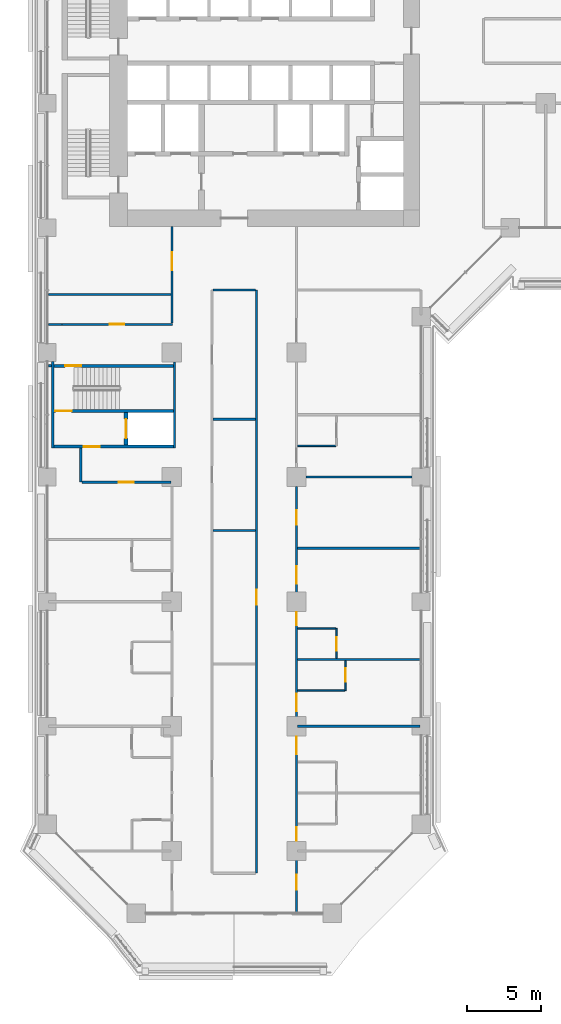
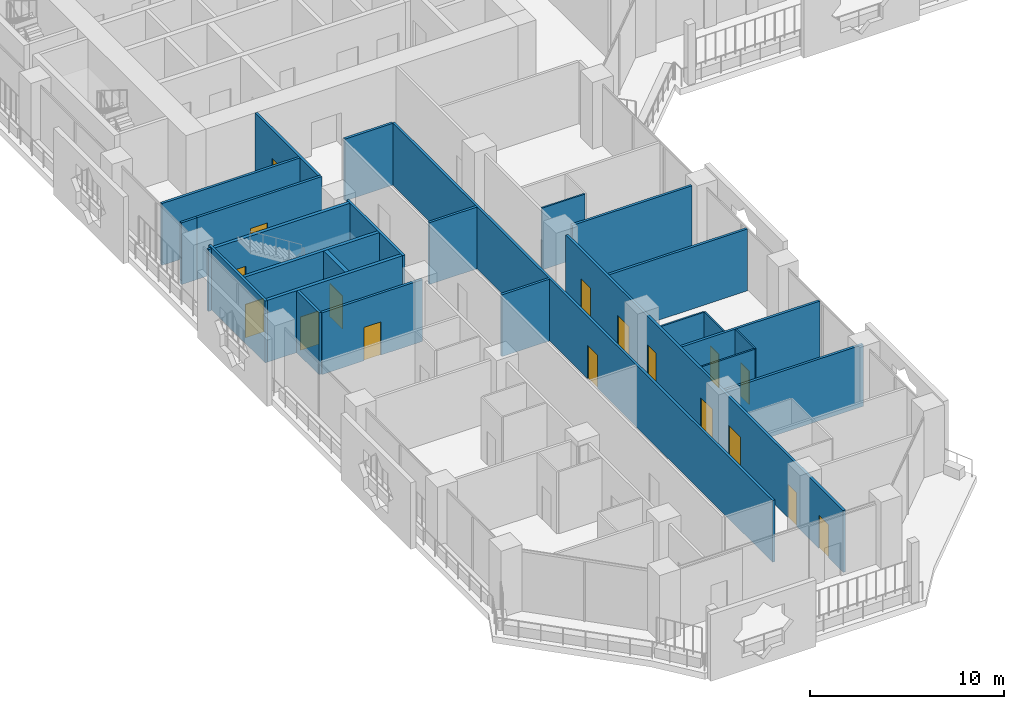
# One storey, part 14 of 28: 27 walls, 17 doors, 17 openings.
"""IFC4 building model written with IfcOpenShell, lengths in metres."""

from ifc_helpers import new_model, si_unit, direction, frame, frame_2d, origin, place, context, subcontext, project, spatial, rectangle, extrude, material, layer, layer_set, type_object, element, fill, save


model = new_model("IFC4")

# Units and contexts
model_context = context("Model", 3, precision=1e-05, world=origin(), true_north=direction((0.0, 1.0)))
body_context = subcontext(model_context, "Body", "Model", "MODEL_VIEW")
ifc_project = project(units=[si_unit("LENGTHUNIT", "METRE"), si_unit("AREAUNIT", "SQUARE_METRE"), si_unit("VOLUMEUNIT", "CUBIC_METRE"), si_unit("PLANEANGLEUNIT", "RADIAN"), si_unit("MASSUNIT", "GRAM", prefix="KILO")], contexts=[model_context])

# Site, building, storey
site_placement = place(None, origin())
site = spatial("IfcSite", under=ifc_project, at=site_placement, CompositionType="ELEMENT")
building_placement = place(site_placement, origin())
building = spatial("IfcBuilding", under=site, at=building_placement, Name="Kawkab Arch Medical Tower", CompositionType="ELEMENT")
storey_placement = place(building_placement, frame((0.0, 0.0, 77.0)))
storey = spatial("IfcBuildingStorey", under=building, at=storey_placement, Name="L17", CompositionType="ELEMENT", Elevation=77.0)

# Wall, opening, door
ifc_material_1 = material(Name="Concrete C60/75", Category="concrete")
ifc_layer_1 = layer(ifc_material_1, 0.25)
ifc_layer_set_1 = layer_set([ifc_layer_1], Name="Concrete C60/75")
wall_type_1 = type_object("IfcWallType", Name="Core shear wall 250 C60/75", PredefinedType="SHEAR", material=ifc_layer_set_1)
wall_1_placement = place(storey_placement, frame((5.300048828125, -39.85009765625, 0.0), z_axis=(0.0, 0.0, 1.0), x_axis=(0.0, 1.0, 0.0)))
wall_1 = element("IfcWall", 1, at=wall_1_placement, inside=storey, type_object=wall_type_1, Name="L17 core shear wall", PredefinedType="SHEAR", context=body_context, shape_type="SweptSolid", body=[
    extrude(rectangle(XDim=2.2001953125, YDim=0.25, at=frame_2d((1.10009765625, 0.0))), origin(), (0.0, 0.0, 1.0), 3.89990234375),
])
opening_1_placement = place(wall_1_placement, frame((0.449951171875, 0.0, 0.0)))
opening_1 = element("IfcOpeningElement", 2, at=opening_1_placement, cuts=wall_1, Name="Opening LD2", PredefinedType="OPENING", context=body_context, shape_type="SweptSolid", body=[
    extrude(rectangle(XDim=1.300048828125, YDim=2.10009765625, at=frame_2d((0.64990234375, 1.050048828125))), frame((0.0, 0.135009765625, 0.0), z_axis=(0.0, -1.0, 0.0), x_axis=(1.0, 0.0, 0.0)), (0.0, 0.0, 1.0), 0.27001953125),
])
ifc_material_2 = material(Name="Stainless steel lift door leaf", Category="steel")
door_type_1 = type_object("IfcDoorType", Name="Lift landing door 1300", OperationType="DOUBLE_DOOR_SLIDING", PredefinedType="DOOR", material=ifc_material_2)
door_1_placement = place(opening_1_placement, origin())
door_1 = element("IfcDoor", 3, at=door_1_placement, inside=storey, type_object=door_type_1, Name="L17 Lift landing door SV2", OperationType="DOUBLE_DOOR_SLIDING", OverallHeight=2.10009765625, OverallWidth=1.300048828125, PredefinedType="DOOR", context=body_context, shape_type="SweptSolid", body=[
    extrude(rectangle(XDim=1.300048828125, YDim=2.10009765625, at=frame_2d((0.64990234375, 1.050048828125))), frame((0.0, 0.02490234375, 0.0), z_axis=(0.0, -1.0, 0.0), x_axis=(1.0, 0.0, 0.0)), (0.0, 0.0, 1.0), 0.050048828125),
])
fill(opening_1, door_1)

# Walls
ifc_material_3 = material(Name="Gypsum board partition on steel studs", Category="steel")
ifc_layer_2 = layer(ifc_material_3, 0.10009765625)
ifc_layer_set_2 = layer_set([ifc_layer_2], Name="Gypsum board partition on steel studs")
wall_type_2 = type_object("IfcWallType", Name="Partition 100", PredefinedType="PARTITIONING", material=ifc_layer_set_2)
wall_2_placement = place(storey_placement, frame((16.875, -56.39990234375, 0.0), z_axis=(0.0, 0.0, 1.0), x_axis=(1.0, 0.0, 0.0)))
element("IfcWall", 4, at=wall_2_placement, inside=storey, type_object=wall_type_2, Name="Partition 100 w005", PredefinedType="PARTITIONING", context=body_context, shape_type="SweptSolid", body=[
    extrude(rectangle(XDim=3.175048828125, YDim=0.10009765625, at=frame_2d((1.58740234375, 0.0))), origin(), (0.0, 0.0, 1.0), 3.89990234375),
])
wall_3_placement = place(storey_placement, frame((16.875, -52.199951171875, 0.0), z_axis=(0.0, 0.0, 1.0), x_axis=(1.0, 0.0, 0.0)))
element("IfcWall", 5, at=wall_3_placement, inside=storey, type_object=wall_type_2, Name="Partition 100 w008", PredefinedType="PARTITIONING", context=body_context, shape_type="SweptSolid", body=[
    extrude(rectangle(XDim=2.573974609375, YDim=0.10009765625, at=frame_2d((1.287109375, 0.0))), origin(), (0.0, 0.0, 1.0), 3.89990234375),
])
wall_4_placement = place(storey_placement, frame((16.875, -39.89990234375, 0.0), z_axis=(0.0, 0.0, 1.0), x_axis=(1.0, 0.0, 0.0)))
element("IfcWall", 6, at=wall_4_placement, inside=storey, type_object=wall_type_2, Name="Partition 100 w010", PredefinedType="PARTITIONING", context=body_context, shape_type="SweptSolid", body=[
    extrude(rectangle(XDim=2.574951171875, YDim=0.10009765625, at=frame_2d((1.28759765625, 0.0))), origin(), (0.0, 0.0, 1.0), 3.89990234375),
])

# Wall, opening, door
wall_5_placement = place(storey_placement, frame((19.5, -54.22509765625, 0.0), z_axis=(0.0, 0.0, 1.0), x_axis=(0.0, 1.0, 0.0)))
wall_5 = element("IfcWall", 7, at=wall_5_placement, inside=storey, type_object=wall_type_2, Name="Partition 100 w024", PredefinedType="PARTITIONING", context=body_context, shape_type="SweptSolid", body=[
    extrude(rectangle(XDim=2.023193359375, YDim=0.10009765625, at=frame_2d((1.01171875, 0.0))), origin(), (0.0, 0.0, 1.0), 3.89990234375),
])
opening_2_placement = place(wall_5_placement, frame((0.52392578125, 0.0, 0.0)))
opening_2 = element("IfcOpeningElement", 8, at=opening_2_placement, cuts=wall_5, Name="Opening W12-021", PredefinedType="OPENING", context=body_context, shape_type="SweptSolid", body=[
    extrude(rectangle(XDim=0.89990234375, YDim=2.10009765625, at=frame_2d((0.449951171875, 1.050048828125))), frame((0.0, 0.06005859375, 0.0), z_axis=(0.0, -1.0, 0.0), x_axis=(1.0, 0.0, 0.0)), (0.0, 0.0, 1.0), 0.1201171875),
])
ifc_material_4 = material(Name="Timber door leaf", Category="wood")
door_type_2 = type_object("IfcDoorType", Name="Single door 900x2100", OperationType="NOTDEFINED", PredefinedType="DOOR", material=ifc_material_4)
door_2_placement = place(opening_2_placement, origin())
door_2 = element("IfcDoor", 9, at=door_2_placement, inside=storey, type_object=door_type_2, Name="Door W12-021", OperationType="SINGLE_SWING_RIGHT", OverallHeight=2.10009765625, OverallWidth=0.89990234375, PredefinedType="DOOR", context=body_context, shape_type="SweptSolid", body=[
    extrude(rectangle(XDim=0.89990234375, YDim=2.10009765625, at=frame_2d((0.449951171875, 1.050048828125))), frame((0.0, 0.02490234375, 0.0), z_axis=(0.0, -1.0, 0.0), x_axis=(1.0, 0.0, 0.0)), (0.0, 0.0, 1.0), 0.050048828125),
])
fill(opening_2, door_2)

wall_6_placement = place(storey_placement, frame((20.10009765625, -56.39990234375, 0.0), z_axis=(0.0, 0.0, 1.0), x_axis=(0.0, 1.0, 0.0)))
wall_6 = element("IfcWall", 10, at=wall_6_placement, inside=storey, type_object=wall_type_2, Name="Partition 100 w026", PredefinedType="PARTITIONING", context=body_context, shape_type="SweptSolid", body=[
    extrude(rectangle(XDim=2.02490234375, YDim=0.10009765625, at=frame_2d((1.012451171875, 0.0))), origin(), (0.0, 0.0, 1.0), 3.89990234375),
])
opening_3_placement = place(wall_6_placement, frame((0.60009765625, 0.0, 0.0)))
opening_3 = element("IfcOpeningElement", 11, at=opening_3_placement, cuts=wall_6, Name="Opening W12-022", PredefinedType="OPENING", context=body_context, shape_type="SweptSolid", body=[
    extrude(rectangle(XDim=0.89990234375, YDim=2.10009765625, at=frame_2d((0.449951171875, 1.050048828125))), frame((0.0, 0.06005859375, 0.0), z_axis=(0.0, -1.0, 0.0), x_axis=(1.0, 0.0, 0.0)), (0.0, 0.0, 1.0), 0.1201171875),
])
door_3_placement = place(opening_3_placement, origin())
door_3 = element("IfcDoor", 12, at=door_3_placement, inside=storey, type_object=door_type_2, Name="Door W12-022", OperationType="SINGLE_SWING_RIGHT", OverallHeight=2.10009765625, OverallWidth=0.89990234375, PredefinedType="DOOR", context=body_context, shape_type="SweptSolid", body=[
    extrude(rectangle(XDim=0.89990234375, YDim=2.10009765625, at=frame_2d((0.449951171875, 1.050048828125))), frame((0.0, 0.02490234375, 0.0), z_axis=(0.0, -1.0, 0.0), x_axis=(1.0, 0.0, 0.0)), (0.0, 0.0, 1.0), 0.050048828125),
])
fill(opening_3, door_3)

# Walls
ifc_material_5 = material(Name="Gypsum board partition on steel studs, mineral wool", Category="steel")
ifc_layer_3 = layer(ifc_material_5, 0.14990234375)
ifc_layer_set_3 = layer_set([ifc_layer_3], Name="Gypsum board partition on steel studs, mineral wool")
wall_type_3 = type_object("IfcWallType", Name="Partition 150", PredefinedType="PARTITIONING", material=ifc_layer_set_3)
for number, where, z_axis, x_axis, name in (
    (13, (16.875, -58.800048828125, 0.0), (0.0, 0.0, 1.0), (1.0, 0.0, 0.0), "Partition 150 w044"),
    (14, (16.875, -54.300048828125, 0.0), (0.0, 0.0, 1.0), (1.0, 0.0, 0.0), "Partition 150 w046"),
    (15, (16.875, -46.800048828125, 0.0), (0.0, 0.0, 1.0), (1.0, 0.0, 0.0), "Partition 150 w048"),
):
    element("IfcWall", number, at=place(storey_placement, frame(where, z_axis=z_axis, x_axis=x_axis)), inside=storey, type_object=wall_type_3, Name=name, PredefinedType="PARTITIONING", context=body_context, shape_type="SweptSolid", body=[
        extrude(rectangle(XDim=8.2451171875, YDim=0.14990234375, at=frame_2d((4.12255859375, 0.0))), origin(), (0.0, 0.0, 1.0), 3.89990234375),
    ])
wall_7_placement = place(storey_placement, frame((11.175048828125, -45.60009765625, 0.0), z_axis=(0.0, 0.0, 1.0), x_axis=(1.0, 0.0, 0.0)))
element("IfcWall", 16, at=wall_7_placement, inside=storey, type_object=wall_type_3, Name="Partition 150 w050", PredefinedType="PARTITIONING", context=body_context, shape_type="SweptSolid", body=[
    extrude(rectangle(XDim=2.849853515625, YDim=0.14990234375, at=frame_2d((1.4248046875, 0.0))), origin(), (0.0, 0.0, 1.0), 3.89990234375),
])

# Wall, opening, door
wall_8_placement = place(storey_placement, frame((2.326904296875, -42.35009765625, 0.0), z_axis=(0.0, 0.0, 1.0), x_axis=(1.0, 0.0, 0.0)))
wall_8 = element("IfcWall", 17, at=wall_8_placement, inside=storey, type_object=wall_type_3, Name="Partition 150 w051", PredefinedType="PARTITIONING", context=body_context, shape_type="SweptSolid", body=[
    extrude(rectangle(XDim=5.998046875, YDim=0.14990234375, at=frame_2d((2.9990234375, 0.0))), origin(), (0.0, 0.0, 1.0), 3.89990234375),
])
opening_4_placement = place(wall_8_placement, frame((2.4990234375, 0.0, 0.0)))
opening_4 = element("IfcOpeningElement", 18, at=opening_4_placement, cuts=wall_8, Name="Opening W12-040", PredefinedType="OPENING", context=body_context, shape_type="SweptSolid", body=[
    extrude(rectangle(XDim=1.0, YDim=2.10009765625, at=frame_2d((0.5, 1.050048828125))), frame((0.0, 0.0849609375, 0.0), z_axis=(0.0, -1.0, 0.0), x_axis=(1.0, 0.0, 0.0)), (0.0, 0.0, 1.0), 0.169921875),
])
ifc_material_6 = material(Name="Hollow metal door leaf")
door_type_3 = type_object("IfcDoorType", Name="Single door 1000x2100 FD30S", OperationType="NOTDEFINED", PredefinedType="DOOR", material=ifc_material_6)
door_4_placement = place(opening_4_placement, origin())
door_4 = element("IfcDoor", 19, at=door_4_placement, inside=storey, type_object=door_type_3, Name="Door W12-040", OperationType="SINGLE_SWING_RIGHT", OverallHeight=2.10009765625, OverallWidth=1.0, PredefinedType="DOOR", context=body_context, shape_type="SweptSolid", body=[
    extrude(rectangle(XDim=1.0, YDim=2.10009765625, at=frame_2d((0.5, 1.050048828125))), frame((0.0, 0.02490234375, 0.0), z_axis=(0.0, -1.0, 0.0), x_axis=(1.0, 0.0, 0.0)), (0.0, 0.0, 1.0), 0.050048828125),
])
fill(opening_4, door_4)

# Walls
wall_9_placement = place(storey_placement, frame((17.449951171875, -42.0, 0.0), z_axis=(0.0, 0.0, 1.0), x_axis=(1.0, 0.0, 0.0)))
element("IfcWall", 20, at=wall_9_placement, inside=storey, type_object=wall_type_3, Name="Partition 150 w052", PredefinedType="PARTITIONING", context=body_context, shape_type="SweptSolid", body=[
    extrude(rectangle(XDim=7.150146484375, YDim=0.14990234375, at=frame_2d((3.5751953125, 0.0))), origin(), (0.0, 0.0, 1.0), 3.89990234375),
])
wall_10_placement = place(storey_placement, frame((11.175048828125, -38.10009765625, 0.0), z_axis=(0.0, 0.0, 1.0), x_axis=(1.0, 0.0, 0.0)))
element("IfcWall", 21, at=wall_10_placement, inside=storey, type_object=wall_type_3, Name="Partition 150 w053", PredefinedType="PARTITIONING", context=body_context, shape_type="SweptSolid", body=[
    extrude(rectangle(XDim=2.849853515625, YDim=0.14990234375, at=frame_2d((1.4248046875, 0.0))), origin(), (0.0, 0.0, 1.0), 3.89990234375),
])
wall_11_placement = place(storey_placement, frame((0.080078125, -34.5, 0.0), z_axis=(0.0, 0.0, 1.0), x_axis=(1.0, 0.0, 0.0)))
element("IfcWall", 22, at=wall_11_placement, inside=storey, type_object=wall_type_3, Name="Partition 150 w055", PredefinedType="PARTITIONING", context=body_context, shape_type="SweptSolid", body=[
    extrude(rectangle(XDim=0.18994140625, YDim=0.14990234375, at=frame_2d((0.094970703125, 0.0))), origin(), (0.0, 0.0, 1.0), 3.89990234375),
])
wall_12_placement = place(storey_placement, frame((0.080078125, -31.70703125, 0.0), z_axis=(0.0, 0.0, 1.0), x_axis=(1.0, 0.0, 0.0)))
element("IfcWall", 23, at=wall_12_placement, inside=storey, type_object=wall_type_3, Name="Partition 150 w056", PredefinedType="PARTITIONING", context=body_context, shape_type="SweptSolid", body=[
    extrude(rectangle(XDim=0.919921875, YDim=0.14990234375, at=frame_2d((0.4599609375, 0.0))), origin(), (0.0, 0.0, 1.0), 3.89990234375),
])

# Wall, opening, door
wall_13_placement = place(storey_placement, frame((1.001953125, -31.70703125, 0.0), z_axis=(0.0, 0.0, 1.0), x_axis=(1.0, 0.0, 0.0)))
wall_13 = element("IfcWall", 24, at=wall_13_placement, inside=storey, type_object=wall_type_3, Name="Partition 150 w057", PredefinedType="PARTITIONING", context=body_context, shape_type="SweptSolid", body=[
    extrude(rectangle(XDim=7.447998046875, YDim=0.14990234375, at=frame_2d((3.72412109375, 0.0))), origin(), (0.0, 0.0, 1.0), 3.89990234375),
])
opening_5_placement = place(wall_13_placement, frame((3.198974609375, 0.0, 0.0)))
opening_5 = element("IfcOpeningElement", 25, at=opening_5_placement, cuts=wall_13, Name="Opening W12-039", PredefinedType="OPENING", context=body_context, shape_type="SweptSolid", body=[
    extrude(rectangle(XDim=1.0, YDim=2.10009765625, at=frame_2d((0.5, 1.050048828125))), frame((0.0, 0.0849609375, 0.0), z_axis=(0.0, -1.0, 0.0), x_axis=(1.0, 0.0, 0.0)), (0.0, 0.0, 1.0), 0.169921875),
])
door_5_placement = place(opening_5_placement, origin())
door_5 = element("IfcDoor", 26, at=door_5_placement, inside=storey, type_object=door_type_3, Name="Door W12-039", OperationType="SINGLE_SWING_RIGHT", OverallHeight=2.10009765625, OverallWidth=1.0, PredefinedType="DOOR", context=body_context, shape_type="SweptSolid", body=[
    extrude(rectangle(XDim=1.0, YDim=2.10009765625, at=frame_2d((0.5, 1.050048828125))), frame((0.0, 0.02490234375, 0.0), z_axis=(0.0, -1.0, 0.0), x_axis=(1.0, 0.0, 0.0)), (0.0, 0.0, 1.0), 0.050048828125),
])
fill(opening_5, door_5)

# Walls
wall_14_placement = place(storey_placement, frame((0.080078125, -29.699951171875, 0.0), z_axis=(0.0, 0.0, 1.0), x_axis=(1.0, 0.0, 0.0)))
element("IfcWall", 27, at=wall_14_placement, inside=storey, type_object=wall_type_3, Name="Partition 150 w058", PredefinedType="PARTITIONING", context=body_context, shape_type="SweptSolid", body=[
    extrude(rectangle(XDim=8.244873046875, YDim=0.14990234375, at=frame_2d((4.12255859375, 0.0))), origin(), (0.0, 0.0, 1.0), 3.89990234375),
])
wall_15_placement = place(storey_placement, frame((11.175048828125, -29.39990234375, 0.0), z_axis=(0.0, 0.0, 1.0), x_axis=(1.0, 0.0, 0.0)))
element("IfcWall", 28, at=wall_15_placement, inside=storey, type_object=wall_type_3, Name="Partition 150 w059", PredefinedType="PARTITIONING", context=body_context, shape_type="SweptSolid", body=[
    extrude(rectangle(XDim=2.849853515625, YDim=0.14990234375, at=frame_2d((1.4248046875, 0.0))), origin(), (0.0, 0.0, 1.0), 3.89990234375),
])
wall_16_placement = place(storey_placement, frame((2.25, -42.347900390625, 0.0), z_axis=(0.0, 0.0, 1.0), x_axis=(0.0, 1.0, 0.0)))
element("IfcWall", 29, at=wall_16_placement, inside=storey, type_object=wall_type_3, Name="Partition 150 w070", PredefinedType="PARTITIONING", context=body_context, shape_type="SweptSolid", body=[
    extrude(rectangle(XDim=2.2978515625, YDim=0.14990234375, at=frame_2d((1.14892578125, 0.0))), origin(), (0.0, 0.0, 1.0), 3.89990234375),
])

# Wall, opening, door
wall_17_placement = place(storey_placement, frame((8.39990234375, -31.632080078125, 0.0), z_axis=(0.0, 0.0, 1.0), x_axis=(0.0, 1.0, 0.0)))
wall_17 = element("IfcWall", 30, at=wall_17_placement, inside=storey, type_object=wall_type_3, Name="Partition 150 w074", PredefinedType="PARTITIONING", context=body_context, shape_type="SweptSolid", body=[
    extrude(rectangle(XDim=6.531982421875, YDim=0.14990234375, at=frame_2d((3.26611328125, 0.0))), origin(), (0.0, 0.0, 1.0), 3.89990234375),
])
opening_6_placement = place(wall_17_placement, frame((3.58203125, 0.0, 0.0)))
opening_6 = element("IfcOpeningElement", 31, at=opening_6_placement, cuts=wall_17, Name="Opening W12-061", PredefinedType="OPENING", context=body_context, shape_type="SweptSolid", body=[
    extrude(rectangle(XDim=1.199951171875, YDim=2.10009765625, at=frame_2d((0.60009765625, 1.050048828125))), frame((0.0, 0.0849609375, 0.0), z_axis=(0.0, -1.0, 0.0), x_axis=(1.0, 0.0, 0.0)), (0.0, 0.0, 1.0), 0.169921875),
])
ifc_material_7 = material(Name="Hollow metal door leaf")
door_type_4 = type_object("IfcDoorType", Name="Single door 1200x2100 FD30S", OperationType="NOTDEFINED", PredefinedType="DOOR", material=ifc_material_7)
door_6_placement = place(opening_6_placement, origin())
door_6 = element("IfcDoor", 32, at=door_6_placement, inside=storey, type_object=door_type_4, Name="Door W12-061", OperationType="SINGLE_SWING_RIGHT", OverallHeight=2.10009765625, OverallWidth=1.199951171875, PredefinedType="DOOR", context=body_context, shape_type="SweptSolid", body=[
    extrude(rectangle(XDim=1.199951171875, YDim=2.10009765625, at=frame_2d((0.60009765625, 1.050048828125))), frame((0.0, 0.02490234375, 0.0), z_axis=(0.0, -1.0, 0.0), x_axis=(1.0, 0.0, 0.0)), (0.0, 0.0, 1.0), 0.050048828125),
])
fill(opening_6, door_6)

wall_18_placement = place(storey_placement, frame((14.10009765625, -68.699951171875, 0.0), z_axis=(0.0, 0.0, 1.0), x_axis=(0.0, 1.0, 0.0)))
wall_18 = element("IfcWall", 33, at=wall_18_placement, inside=storey, type_object=wall_type_3, Name="Partition 150 w076", PredefinedType="PARTITIONING", context=body_context, shape_type="SweptSolid", body=[
    extrude(rectangle(XDim=39.300048828125, YDim=0.14990234375, at=frame_2d((19.64990234375, 0.0))), origin(), (0.0, 0.0, 1.0), 3.89990234375),
])
opening_7_placement = place(wall_18_placement, frame((18.10009765625, 0.0, 0.0)))
opening_7 = element("IfcOpeningElement", 34, at=opening_7_placement, cuts=wall_18, Name="Opening W12-043", PredefinedType="OPENING", context=body_context, shape_type="SweptSolid", body=[
    extrude(rectangle(XDim=1.0, YDim=2.10009765625, at=frame_2d((0.5, 1.050048828125))), frame((0.0, 0.0849609375, 0.0), z_axis=(0.0, -1.0, 0.0), x_axis=(1.0, 0.0, 0.0)), (0.0, 0.0, 1.0), 0.169921875),
])
door_7_placement = place(opening_7_placement, origin())
door_7 = element("IfcDoor", 35, at=door_7_placement, inside=storey, type_object=door_type_3, Name="Door W12-043", OperationType="SINGLE_SWING_LEFT", OverallHeight=2.10009765625, OverallWidth=1.0, PredefinedType="DOOR", context=body_context, shape_type="SweptSolid", body=[
    extrude(rectangle(XDim=1.0, YDim=2.10009765625, at=frame_2d((0.5, 1.050048828125))), frame((0.0, 0.02490234375, 0.0), z_axis=(0.0, -1.0, 0.0), x_axis=(1.0, 0.0, 0.0)), (0.0, 0.0, 1.0), 0.050048828125),
])
fill(opening_7, door_7)

# Wall, openings, doors
wall_19_placement = place(storey_placement, frame((16.800048828125, -71.320068359375, 0.0), z_axis=(0.0, 0.0, 1.0), x_axis=(0.0, 1.0, 0.0)))
wall_19 = element("IfcWall", 36, at=wall_19_placement, inside=storey, type_object=wall_type_3, Name="Partition 150 w077", PredefinedType="PARTITIONING", context=body_context, shape_type="SweptSolid", body=[
    extrude(rectangle(XDim=28.670166015625, YDim=0.14990234375, at=frame_2d((14.3349609375, 0.0))), origin(), (0.0, 0.0, 1.0), 3.89990234375),
])
opening_8_placement = place(wall_19_placement, frame((26.094970703125, 0.0, 0.0)))
opening_8 = element("IfcOpeningElement", 37, at=opening_8_placement, cuts=wall_19, Name="Opening W12-031", PredefinedType="OPENING", context=body_context, shape_type="SweptSolid", body=[
    extrude(rectangle(XDim=1.0, YDim=2.10009765625, at=frame_2d((0.5, 1.050048828125))), frame((0.0, 0.0849609375, 0.0), z_axis=(0.0, -1.0, 0.0), x_axis=(1.0, 0.0, 0.0)), (0.0, 0.0, 1.0), 0.169921875),
])
opening_9_placement = place(wall_19_placement, frame((22.1201171875, 0.0, 0.0)))
opening_9 = element("IfcOpeningElement", 38, at=opening_9_placement, cuts=wall_19, Name="Opening W12-070", PredefinedType="OPENING", context=body_context, shape_type="SweptSolid", body=[
    extrude(rectangle(XDim=1.199951171875, YDim=2.10009765625, at=frame_2d((0.60009765625, 1.050048828125))), frame((0.0, 0.0849609375, 0.0), z_axis=(0.0, -1.0, 0.0), x_axis=(1.0, 0.0, 0.0)), (0.0, 0.0, 1.0), 0.169921875),
])
opening_10_placement = place(wall_19_placement, frame((19.320068359375, 0.0, 0.0)))
opening_10 = element("IfcOpeningElement", 39, at=opening_10_placement, cuts=wall_19, Name="Opening W12-028", PredefinedType="OPENING", context=body_context, shape_type="SweptSolid", body=[
    extrude(rectangle(XDim=0.89990234375, YDim=2.10009765625, at=frame_2d((0.449951171875, 1.050048828125))), frame((0.0, 0.0849609375, 0.0), z_axis=(0.0, -1.0, 0.0), x_axis=(1.0, 0.0, 0.0)), (0.0, 0.0, 1.0), 0.169921875),
])
opening_11_placement = place(wall_19_placement, frame((13.52001953125, 0.0, 0.0)))
opening_11 = element("IfcOpeningElement", 40, at=opening_11_placement, cuts=wall_19, Name="Opening W12-071", PredefinedType="OPENING", context=body_context, shape_type="SweptSolid", body=[
    extrude(rectangle(XDim=1.199951171875, YDim=2.10009765625, at=frame_2d((0.60009765625, 1.050048828125))), frame((0.0, 0.0849609375, 0.0), z_axis=(0.0, -1.0, 0.0), x_axis=(1.0, 0.0, 0.0)), (0.0, 0.0, 1.0), 0.169921875),
])
opening_12_placement = place(wall_19_placement, frame((10.6201171875, 0.0, 0.0)))
opening_12 = element("IfcOpeningElement", 41, at=opening_12_placement, cuts=wall_19, Name="Opening W12-072", PredefinedType="OPENING", context=body_context, shape_type="SweptSolid", body=[
    extrude(rectangle(XDim=1.199951171875, YDim=2.10009765625, at=frame_2d((0.60009765625, 1.050048828125))), frame((0.0, 0.0849609375, 0.0), z_axis=(0.0, -1.0, 0.0), x_axis=(1.0, 0.0, 0.0)), (0.0, 0.0, 1.0), 0.169921875),
])
opening_13_placement = place(wall_19_placement, frame((4.820068359375, 0.0, 0.0)))
opening_13 = element("IfcOpeningElement", 42, at=opening_13_placement, cuts=wall_19, Name="Opening W12-029", PredefinedType="OPENING", context=body_context, shape_type="SweptSolid", body=[
    extrude(rectangle(XDim=0.89990234375, YDim=2.10009765625, at=frame_2d((0.449951171875, 1.050048828125))), frame((0.0, 0.0849609375, 0.0), z_axis=(0.0, -1.0, 0.0), x_axis=(1.0, 0.0, 0.0)), (0.0, 0.0, 1.0), 0.169921875),
])
opening_14_placement = place(wall_19_placement, frame((1.52001953125, 0.0, 0.0)))
opening_14 = element("IfcOpeningElement", 43, at=opening_14_placement, cuts=wall_19, Name="Opening W12-045", PredefinedType="OPENING", context=body_context, shape_type="SweptSolid", body=[
    extrude(rectangle(XDim=1.0, YDim=2.10009765625, at=frame_2d((0.5, 1.050048828125))), frame((0.0, 0.0849609375, 0.0), z_axis=(0.0, -1.0, 0.0), x_axis=(1.0, 0.0, 0.0)), (0.0, 0.0, 1.0), 0.169921875),
])
ifc_material_8 = material(Name="Timber door leaf", Category="wood")
door_type_5 = type_object("IfcDoorType", Name="Single door 1000x2100", OperationType="NOTDEFINED", PredefinedType="DOOR", material=ifc_material_8)
door_8_placement = place(opening_8_placement, origin())
door_8 = element("IfcDoor", 44, at=door_8_placement, inside=storey, type_object=door_type_5, Name="Door W12-031", OperationType="SINGLE_SWING_LEFT", OverallHeight=2.10009765625, OverallWidth=1.0, PredefinedType="DOOR", context=body_context, shape_type="SweptSolid", body=[
    extrude(rectangle(XDim=1.0, YDim=2.10009765625, at=frame_2d((0.5, 1.050048828125))), frame((0.0, 0.02490234375, 0.0), z_axis=(0.0, -1.0, 0.0), x_axis=(1.0, 0.0, 0.0)), (0.0, 0.0, 1.0), 0.050048828125),
])
fill(opening_8, door_8)
door_9_placement = place(opening_14_placement, origin())
door_9 = element("IfcDoor", 45, at=door_9_placement, inside=storey, type_object=door_type_3, Name="Door W12-045", OperationType="SINGLE_SWING_RIGHT", OverallHeight=2.10009765625, OverallWidth=1.0, PredefinedType="DOOR", context=body_context, shape_type="SweptSolid", body=[
    extrude(rectangle(XDim=1.0, YDim=2.10009765625, at=frame_2d((0.5, 1.050048828125))), frame((0.0, 0.02490234375, 0.0), z_axis=(0.0, -1.0, 0.0), x_axis=(1.0, 0.0, 0.0)), (0.0, 0.0, 1.0), 0.050048828125),
])
fill(opening_14, door_9)
door_10_placement = place(opening_9_placement, origin())
door_10 = element("IfcDoor", 46, at=door_10_placement, inside=storey, type_object=door_type_4, Name="Door W12-070", OperationType="SINGLE_SWING_LEFT", OverallHeight=2.10009765625, OverallWidth=1.199951171875, PredefinedType="DOOR", context=body_context, shape_type="SweptSolid", body=[
    extrude(rectangle(XDim=1.199951171875, YDim=2.10009765625, at=frame_2d((0.60009765625, 1.050048828125))), frame((0.0, 0.02490234375, 0.0), z_axis=(0.0, -1.0, 0.0), x_axis=(1.0, 0.0, 0.0)), (0.0, 0.0, 1.0), 0.050048828125),
])
fill(opening_9, door_10)
door_11_placement = place(opening_11_placement, origin())
door_11 = element("IfcDoor", 47, at=door_11_placement, inside=storey, type_object=door_type_4, Name="Door W12-071", OperationType="SINGLE_SWING_LEFT", OverallHeight=2.10009765625, OverallWidth=1.199951171875, PredefinedType="DOOR", context=body_context, shape_type="SweptSolid", body=[
    extrude(rectangle(XDim=1.199951171875, YDim=2.10009765625, at=frame_2d((0.60009765625, 1.050048828125))), frame((0.0, 0.02490234375, 0.0), z_axis=(0.0, -1.0, 0.0), x_axis=(1.0, 0.0, 0.0)), (0.0, 0.0, 1.0), 0.050048828125),
])
fill(opening_11, door_11)
door_12_placement = place(opening_12_placement, origin())
door_12 = element("IfcDoor", 48, at=door_12_placement, inside=storey, type_object=door_type_4, Name="Door W12-072", OperationType="SINGLE_SWING_RIGHT", OverallHeight=2.10009765625, OverallWidth=1.199951171875, PredefinedType="DOOR", context=body_context, shape_type="SweptSolid", body=[
    extrude(rectangle(XDim=1.199951171875, YDim=2.10009765625, at=frame_2d((0.60009765625, 1.050048828125))), frame((0.0, 0.02490234375, 0.0), z_axis=(0.0, -1.0, 0.0), x_axis=(1.0, 0.0, 0.0)), (0.0, 0.0, 1.0), 0.050048828125),
])
fill(opening_12, door_12)
ifc_material_9 = material(Name="Hollow metal door leaf")
door_type_6 = type_object("IfcDoorType", Name="Single door 900x2100 FD30S", OperationType="NOTDEFINED", PredefinedType="DOOR", material=ifc_material_9)
door_13_placement = place(opening_10_placement, origin())
door_13 = element("IfcDoor", 49, at=door_13_placement, inside=storey, type_object=door_type_6, Name="Door W12-028", OperationType="SINGLE_SWING_LEFT", OverallHeight=2.10009765625, OverallWidth=0.89990234375, PredefinedType="DOOR", context=body_context, shape_type="SweptSolid", body=[
    extrude(rectangle(XDim=0.89990234375, YDim=2.10009765625, at=frame_2d((0.449951171875, 1.050048828125))), frame((0.0, 0.02490234375, 0.0), z_axis=(0.0, -1.0, 0.0), x_axis=(1.0, 0.0, 0.0)), (0.0, 0.0, 1.0), 0.050048828125),
])
fill(opening_10, door_13)
door_14_placement = place(opening_13_placement, origin())
door_14 = element("IfcDoor", 50, at=door_14_placement, inside=storey, type_object=door_type_6, Name="Door W12-029", OperationType="SINGLE_SWING_RIGHT", OverallHeight=2.10009765625, OverallWidth=0.89990234375, PredefinedType="DOOR", context=body_context, shape_type="SweptSolid", body=[
    extrude(rectangle(XDim=0.89990234375, YDim=2.10009765625, at=frame_2d((0.449951171875, 1.050048828125))), frame((0.0, 0.02490234375, 0.0), z_axis=(0.0, -1.0, 0.0), x_axis=(1.0, 0.0, 0.0)), (0.0, 0.0, 1.0), 0.050048828125),
])
fill(opening_13, door_14)

# Walls
ifc_material_10 = material(Name="Concrete C50/60", Category="concrete")
ifc_layer_4 = layer(ifc_material_10, 0.14990234375)
ifc_layer_set_4 = layer_set([ifc_layer_4], Name="Concrete C50/60")
wall_type_4 = type_object("IfcWallType", Name="Stair enclosure wall 150 C50/60", PredefinedType="SHEAR", material=ifc_layer_set_4)
wall_20_placement = place(storey_placement, frame((0.375, -40.050048828125, 0.0), z_axis=(0.0, 0.0, 1.0), x_axis=(0.0, 1.0, 0.0)))
element("IfcWall", 51, at=wall_20_placement, inside=storey, type_object=wall_type_4, Name="L17 stair enclosure wall", PredefinedType="SHEAR", context=body_context, shape_type="SweptSolid", body=[
    extrude(rectangle(XDim=5.85009765625, YDim=0.14990234375, at=frame_2d((2.925048828125, 0.0))), origin(), (0.0, 0.0, 1.0), 3.89990234375),
])
wall_21_placement = place(storey_placement, frame((8.574951171875, -40.050048828125, 0.0), z_axis=(0.0, 0.0, 1.0), x_axis=(0.0, 1.0, 0.0)))
element("IfcWall", 52, at=wall_21_placement, inside=storey, type_object=wall_type_4, Name="L17 stair enclosure wall", PredefinedType="SHEAR", context=body_context, shape_type="SweptSolid", body=[
    extrude(rectangle(XDim=5.800048828125, YDim=0.14990234375, at=frame_2d((2.89990234375, 0.0))), origin(), (0.0, 0.0, 1.0), 3.89990234375),
])

# Wall, opening, door
ifc_material_11 = material(Name="Concrete C50/60", Category="concrete")
ifc_layer_5 = layer(ifc_material_11, 0.199951171875)
ifc_layer_set_5 = layer_set([ifc_layer_5], Name="Concrete C50/60")
wall_type_5 = type_object("IfcWallType", Name="Stair enclosure wall 200 C50/60", PredefinedType="SHEAR", material=ifc_layer_set_5)
wall_22_placement = place(storey_placement, frame((0.449951171875, -34.5, 0.0), z_axis=(0.0, 0.0, 1.0), x_axis=(1.0, 0.0, 0.0)))
wall_22 = element("IfcWall", 53, at=wall_22_placement, inside=storey, type_object=wall_type_5, Name="L17 stair enclosure wall", PredefinedType="SHEAR", context=body_context, shape_type="SweptSolid", body=[
    extrude(rectangle(XDim=8.050048828125, YDim=0.199951171875, at=frame_2d((4.02490234375, 0.0))), origin(), (0.0, 0.0, 1.0), 3.89990234375),
])
opening_15_placement = place(wall_22_placement, frame((0.75, 0.0, 0.0)))
opening_15 = element("IfcOpeningElement", 54, at=opening_15_placement, cuts=wall_22, Name="Opening SD", PredefinedType="OPENING", context=body_context, shape_type="SweptSolid", body=[
    extrude(rectangle(XDim=1.10009765625, YDim=2.10009765625, at=frame_2d((0.550048828125, 1.050048828125))), frame((0.0, 0.10986328125, 0.0), z_axis=(0.0, -1.0, 0.0), x_axis=(1.0, 0.0, 0.0)), (0.0, 0.0, 1.0), 0.219970703125),
])
ifc_material_12 = material(Name="Hollow metal fire door leaf")
door_type_7 = type_object("IfcDoorType", Name="Exit stair door 1100", OperationType="SINGLE_SWING_LEFT", PredefinedType="DOOR", material=ifc_material_12)
door_15_placement = place(opening_15_placement, origin())
door_15 = element("IfcDoor", 55, at=door_15_placement, inside=storey, type_object=door_type_7, Name="L17 Exit stair ST6 door", OperationType="SINGLE_SWING_LEFT", OverallHeight=2.10009765625, OverallWidth=1.10009765625, PredefinedType="DOOR", context=body_context, shape_type="SweptSolid", body=[
    extrude(rectangle(XDim=1.10009765625, YDim=2.10009765625, at=frame_2d((0.550048828125, 1.050048828125))), frame((0.0, 0.02490234375, 0.0), z_axis=(0.0, -1.0, 0.0), x_axis=(1.0, 0.0, 0.0)), (0.0, 0.0, 1.0), 0.050048828125),
])
fill(opening_15, door_15)

wall_23_placement = place(storey_placement, frame((0.449951171875, -37.550048828125, 0.0), z_axis=(0.0, 0.0, 1.0), x_axis=(1.0, 0.0, 0.0)))
wall_23 = element("IfcWall", 56, at=wall_23_placement, inside=storey, type_object=wall_type_5, Name="L17 stair enclosure wall", PredefinedType="SHEAR", context=body_context, shape_type="SweptSolid", body=[
    extrude(rectangle(XDim=8.050048828125, YDim=0.199951171875, at=frame_2d((4.02490234375, 0.0))), origin(), (0.0, 0.0, 1.0), 3.89990234375),
])
opening_16_placement = place(wall_23_placement, frame((0.10009765625, 0.0, 0.0)))
opening_16 = element("IfcOpeningElement", 57, at=opening_16_placement, cuts=wall_23, Name="Opening SD", PredefinedType="OPENING", context=body_context, shape_type="SweptSolid", body=[
    extrude(rectangle(XDim=1.10009765625, YDim=2.10009765625, at=frame_2d((0.550048828125, 1.050048828125))), frame((0.0, 0.10986328125, 0.0), z_axis=(0.0, -1.0, 0.0), x_axis=(1.0, 0.0, 0.0)), (0.0, 0.0, 1.0), 0.219970703125),
])
door_16_placement = place(opening_16_placement, frame((1.10009765625, 0.0, 0.0), z_axis=(0.0, 0.0, 1.0), x_axis=(-1.0, 0.0, 0.0)))
door_16 = element("IfcDoor", 58, at=door_16_placement, inside=storey, type_object=door_type_7, Name="L17 Exit stair ST6 lobby door", OperationType="SINGLE_SWING_LEFT", OverallHeight=2.10009765625, OverallWidth=1.10009765625, PredefinedType="DOOR", context=body_context, shape_type="SweptSolid", body=[
    extrude(rectangle(XDim=1.10009765625, YDim=2.10009765625, at=frame_2d((0.550048828125, 1.050048828125))), frame((0.0, 0.02490234375, 0.0), z_axis=(0.0, -1.0, 0.0), x_axis=(1.0, 0.0, 0.0)), (0.0, 0.0, 1.0), 0.050048828125),
])
fill(opening_16, door_16)

wall_24_placement = place(storey_placement, frame((0.449951171875, -39.949951171875, 0.0), z_axis=(0.0, 0.0, 1.0), x_axis=(1.0, 0.0, 0.0)))
wall_24 = element("IfcWall", 59, at=wall_24_placement, inside=storey, type_object=wall_type_5, Name="L17 stair enclosure wall", PredefinedType="SHEAR", context=body_context, shape_type="SweptSolid", body=[
    extrude(rectangle(XDim=8.050048828125, YDim=0.199951171875, at=frame_2d((4.02490234375, 0.0))), origin(), (0.0, 0.0, 1.0), 3.89990234375),
])
opening_17_placement = place(wall_24_placement, frame((2.0, 0.0, 0.0)))
opening_17 = element("IfcOpeningElement", 60, at=opening_17_placement, cuts=wall_24, Name="Opening FD", PredefinedType="OPENING", context=body_context, shape_type="SweptSolid", body=[
    extrude(rectangle(XDim=1.10009765625, YDim=2.10009765625, at=frame_2d((0.550048828125, 1.050048828125))), frame((0.0, 0.10986328125, 0.0), z_axis=(0.0, -1.0, 0.0), x_axis=(1.0, 0.0, 0.0)), (0.0, 0.0, 1.0), 0.219970703125),
])
ifc_material_13 = material(Name="Hollow metal fire door leaf")
door_type_8 = type_object("IfcDoorType", Name="Firefighting lobby door 1100", OperationType="SINGLE_SWING_LEFT", PredefinedType="DOOR", material=ifc_material_13)
door_17_placement = place(opening_17_placement, origin())
door_17 = element("IfcDoor", 61, at=door_17_placement, inside=storey, type_object=door_type_8, Name="L17 Service lift lobby door SV2", OperationType="SINGLE_SWING_LEFT", OverallHeight=2.10009765625, OverallWidth=1.10009765625, PredefinedType="DOOR", context=body_context, shape_type="SweptSolid", body=[
    extrude(rectangle(XDim=1.10009765625, YDim=2.10009765625, at=frame_2d((0.550048828125, 1.050048828125))), frame((0.0, 0.02490234375, 0.0), z_axis=(0.0, -1.0, 0.0), x_axis=(1.0, 0.0, 0.0)), (0.0, 0.0, 1.0), 0.050048828125),
])
fill(opening_17, door_17)

save(model, "model.ifc")
